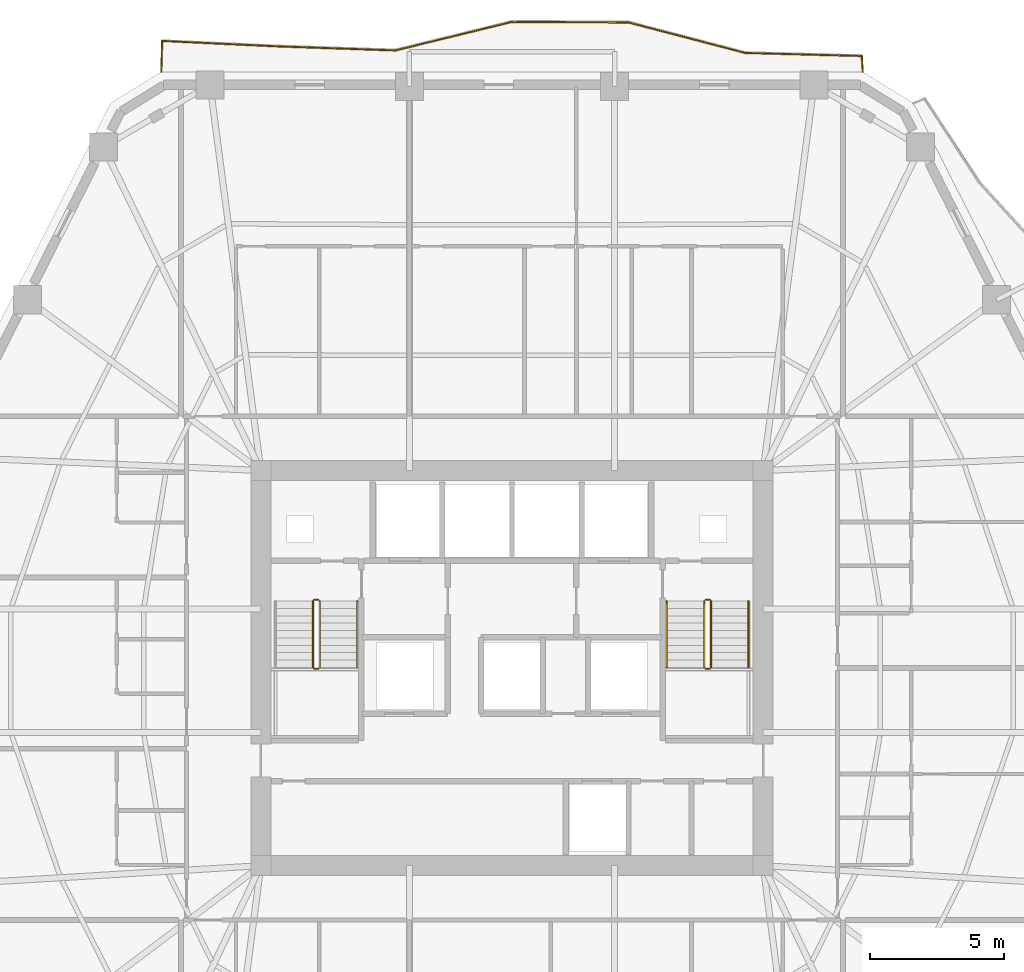
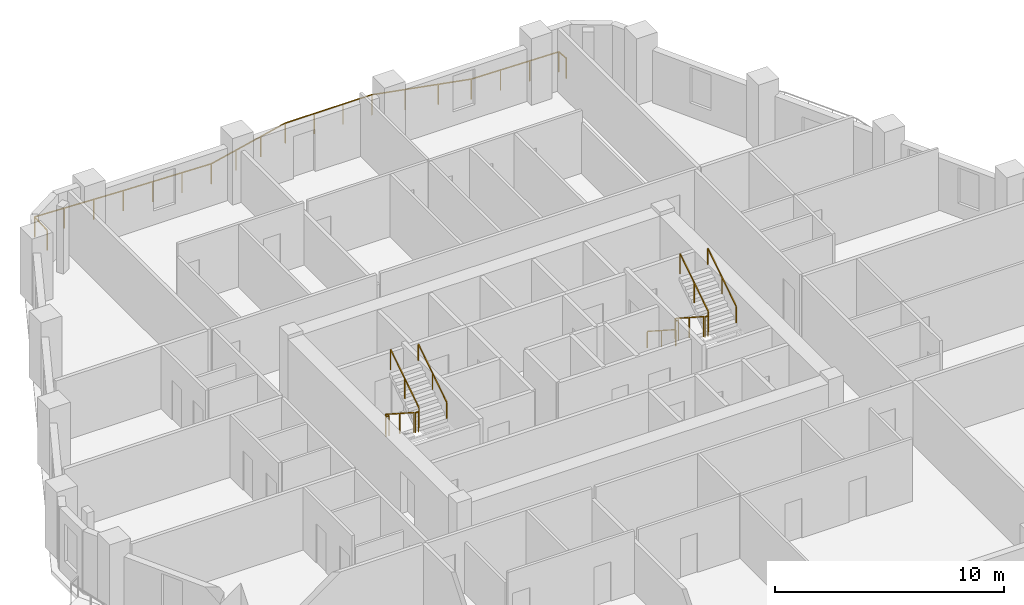
# One storey, part 10 of 11: 12 railings.
"""IFC4 building model written with IfcOpenShell, lengths in metres."""

from ifc_helpers import new_model, si_unit, direction, frame, origin, origin_2d, place, context, subcontext, project, spatial, rectangle, extrude, material, type_object, element, save


model = new_model("IFC4")

# Units and contexts
model_context = context("Model", 3, precision=1e-05, world=origin(), true_north=direction((0.0, 1.0)))
body_context = subcontext(model_context, "Body", "Model", "MODEL_VIEW")
ifc_project = project(units=[si_unit("LENGTHUNIT", "METRE"), si_unit("AREAUNIT", "SQUARE_METRE"), si_unit("VOLUMEUNIT", "CUBIC_METRE"), si_unit("PLANEANGLEUNIT", "RADIAN"), si_unit("MASSUNIT", "GRAM", prefix="KILO")], contexts=[model_context])

# Site, building, storey
site_placement = place(None, origin())
site = spatial("IfcSite", under=ifc_project, at=site_placement, CompositionType="ELEMENT")
building_placement = place(site_placement, origin())
building = spatial("IfcBuilding", under=site, at=building_placement, Name="Cinnabar Lancet Tower", CompositionType="ELEMENT")
storey_placement = place(building_placement, frame((0.0, 0.0, 133.89990234375)))
storey = spatial("IfcBuildingStorey", under=building, at=storey_placement, Name="L35", CompositionType="ELEMENT", Elevation=133.89990234375)

# Railings
ifc_material_1 = material(Name="Laminated safety glass and bronze stainless steel balustrade", Category="steel")
railing_type_1 = type_object("IfcRailingType", Name="ENV-RLG-BAL-1100", PredefinedType="BALUSTRADE", material=ifc_material_1)
railing_1_placement = place(storey_placement, frame((45.491943359375, 48.14990234375, 0.0)))
element("IfcRailing", 1, at=railing_1_placement, inside=storey, type_object=railing_type_1, Name="L35 Face 4 Wave Balcony Balustrade", PredefinedType="BALUSTRADE", context=body_context, shape_type="SweptSolid", body=[
    extrude(rectangle(XDim=0.048095703125, YDim=0.048095703125, at=origin_2d()), frame((0.0, 0.0, 1.076171875), z_axis=(-0.058458414322, 0.998289844582, 0.0), x_axis=(-0.998289844582, -0.058458414322, 0.0)), (0.0, 0.0, 1.0), 0.59716796875),
    extrude(rectangle(XDim=0.048095703125, YDim=0.048095703125, at=origin_2d()), frame((-0.034912109375, 0.59619140625, 1.076171875), z_axis=(-0.99967039888, 0.025672818363, 0.0), x_axis=(-0.025672818363, -0.99967039888, 0.0)), (0.0, 0.0, 1.0), 4.35546875),
    extrude(rectangle(XDim=0.048095703125, YDim=0.048095703125, at=origin_2d()), frame((-4.388916015625, 0.7080078125, 1.076171875), z_axis=(-0.967447573249, 0.25307151759, 0.0), x_axis=(-0.25307151759, -0.967447573249, 0.0)), (0.0, 0.0, 1.0), 4.49755859375),
    extrude(rectangle(XDim=0.048095703125, YDim=0.048095703125, at=origin_2d()), frame((-8.739990234375, 1.84619140625, 1.076171875), z_axis=(-0.999987255027, 0.005048740769, 0.0), x_axis=(-0.005048740769, -0.999987255027, 0.0)), (0.0, 0.0, 1.0), 4.35205078125),
    extrude(rectangle(XDim=0.048095703125, YDim=0.048095703125, at=origin_2d()), frame((-13.092041015625, 1.8681640625, 1.076171875), z_axis=(-0.971263637587, -0.238006189627, 0.0), x_axis=(0.238006189627, -0.971263637587, 0.0)), (0.0, 0.0, 1.0), 4.4794921875),
    extrude(rectangle(XDim=0.048095703125, YDim=0.048095703125, at=origin_2d()), frame((-17.44287109375, 0.802001953125, 1.076171875), z_axis=(-0.999405666457, 0.034471928484, 0.0), x_axis=(-0.034471928484, -0.999405666457, 0.0)), (0.0, 0.0, 1.0), 4.355712890625),
    extrude(rectangle(XDim=0.048095703125, YDim=0.048095703125, at=origin_2d()), frame((-21.7958984375, 0.9521484375, 1.076171875), z_axis=(-0.998895218898, 0.046992995887, 0.0), x_axis=(-0.046992995887, -0.998895218898, 0.0)), (0.0, 0.0, 1.0), 4.35888671875),
    extrude(rectangle(XDim=0.048095703125, YDim=0.048095703125, at=origin_2d()), frame((-26.14990234375, 1.156982421875, 1.076171875), z_axis=(-0.029318473695, -0.999570121152, 0.0), x_axis=(0.999570121152, -0.029318473695, 0.0)), (0.0, 0.0, 1.0), 1.157470703125),
    extrude(rectangle(XDim=0.0419921875, YDim=0.0419921875, at=origin_2d()), origin(), (0.0, 0.0, 1.0), 1.052001953125),
    extrude(rectangle(XDim=0.0419921875, YDim=0.0419921875, at=origin_2d()), frame((-0.034912109375, 0.59619140625, 0.0)), (0.0, 0.0, 1.0), 1.052001953125),
    extrude(rectangle(XDim=0.0419921875, YDim=0.0419921875, at=origin_2d()), frame((-1.486328125, 0.633544921875, 0.0)), (0.0, 0.0, 1.0), 1.052001953125),
    extrude(rectangle(XDim=0.0419921875, YDim=0.0419921875, at=origin_2d()), frame((-2.9375, 0.670654296875, 0.0)), (0.0, 0.0, 1.0), 1.052001953125),
    extrude(rectangle(XDim=0.0419921875, YDim=0.0419921875, at=origin_2d()), frame((-4.388916015625, 0.7080078125, 0.0)), (0.0, 0.0, 1.0), 1.052001953125),
    extrude(rectangle(XDim=0.0419921875, YDim=0.0419921875, at=origin_2d()), frame((-5.83935546875, 1.08740234375, 0.0)), (0.0, 0.0, 1.0), 1.052001953125),
    extrude(rectangle(XDim=0.0419921875, YDim=0.0419921875, at=origin_2d()), frame((-7.28955078125, 1.466796875, 0.0)), (0.0, 0.0, 1.0), 1.052001953125),
    extrude(rectangle(XDim=0.0419921875, YDim=0.0419921875, at=origin_2d()), frame((-8.739990234375, 1.84619140625, 0.0)), (0.0, 0.0, 1.0), 1.052001953125),
    extrude(rectangle(XDim=0.0419921875, YDim=0.0419921875, at=origin_2d()), frame((-10.190673828125, 1.853515625, 0.0)), (0.0, 0.0, 1.0), 1.052001953125),
    extrude(rectangle(XDim=0.0419921875, YDim=0.0419921875, at=origin_2d()), frame((-11.641357421875, 1.86083984375, 0.0)), (0.0, 0.0, 1.0), 1.052001953125),
    extrude(rectangle(XDim=0.0419921875, YDim=0.0419921875, at=origin_2d()), frame((-13.092041015625, 1.8681640625, 0.0)), (0.0, 0.0, 1.0), 1.052001953125),
    extrude(rectangle(XDim=0.0419921875, YDim=0.0419921875, at=origin_2d()), frame((-14.542236328125, 1.5126953125, 0.0)), (0.0, 0.0, 1.0), 1.052001953125),
    extrude(rectangle(XDim=0.0419921875, YDim=0.0419921875, at=origin_2d()), frame((-15.99267578125, 1.157470703125, 0.0)), (0.0, 0.0, 1.0), 1.052001953125),
    extrude(rectangle(XDim=0.0419921875, YDim=0.0419921875, at=origin_2d()), frame((-17.44287109375, 0.802001953125, 0.0)), (0.0, 0.0, 1.0), 1.052001953125),
    extrude(rectangle(XDim=0.0419921875, YDim=0.0419921875, at=origin_2d()), frame((-18.893798828125, 0.85205078125, 0.0)), (0.0, 0.0, 1.0), 1.052001953125),
    extrude(rectangle(XDim=0.0419921875, YDim=0.0419921875, at=origin_2d()), frame((-20.344970703125, 0.902099609375, 0.0)), (0.0, 0.0, 1.0), 1.052001953125),
    extrude(rectangle(XDim=0.0419921875, YDim=0.0419921875, at=origin_2d()), frame((-21.7958984375, 0.9521484375, 0.0)), (0.0, 0.0, 1.0), 1.052001953125),
    extrude(rectangle(XDim=0.0419921875, YDim=0.0419921875, at=origin_2d()), frame((-23.247314453125, 1.0205078125, 0.0)), (0.0, 0.0, 1.0), 1.052001953125),
    extrude(rectangle(XDim=0.0419921875, YDim=0.0419921875, at=origin_2d()), frame((-24.698486328125, 1.088623046875, 0.0)), (0.0, 0.0, 1.0), 1.052001953125),
    extrude(rectangle(XDim=0.0419921875, YDim=0.0419921875, at=origin_2d()), frame((-26.14990234375, 1.156982421875, 0.0)), (0.0, 0.0, 1.0), 1.052001953125),
    extrude(rectangle(XDim=0.0419921875, YDim=0.0419921875, at=origin_2d()), frame((-26.183837890625, 0.0, 0.0)), (0.0, 0.0, 1.0), 1.052001953125),
])
ifc_material_2 = material(Name="Painted galvanized steel balustrade", Category="steel")
railing_type_2 = type_object("IfcRailingType", Name="GUARD-STAIR", PredefinedType="GUARDRAIL", material=ifc_material_2)
railing_2_placement = place(storey_placement, frame((24.97509765625, 28.39990234375, 0.177490234375)))
element("IfcRailing", 2, at=railing_2_placement, inside=storey, type_object=railing_type_2, Name="L35 ST-1 stair guard 1", PredefinedType="GUARDRAIL", context=body_context, shape_type="SweptSolid", body=[
    extrude(rectangle(XDim=0.048095703125, YDim=0.048095703125, at=origin_2d()), frame((0.0, 0.0, 1.076171875), z_axis=(0.0, -0.84014559416, 0.542360932049), x_axis=(1.0, 0.0, 0.0)), (0.0, 0.0, 1.0), 2.94580078125),
    extrude(rectangle(XDim=0.0419921875, YDim=0.0419921875, at=origin_2d()), origin(), (0.0, 0.0, 1.0), 1.052001953125),
    extrude(rectangle(XDim=0.0419921875, YDim=0.0419921875, at=origin_2d()), frame((0.0, -1.2373046875, 0.798828125)), (0.0, 0.0, 1.0), 1.052001953125),
    extrude(rectangle(XDim=0.0419921875, YDim=0.0419921875, at=origin_2d()), frame((0.0, -2.474853515625, 1.59765625)), (0.0, 0.0, 1.0), 1.052001953125),
])
railing_3_placement = place(storey_placement, frame((25.02490234375, 25.875, 1.775146484375)))
element("IfcRailing", 3, at=railing_3_placement, inside=storey, type_object=railing_type_2, Name="L35 ST-1 stair guard 2", PredefinedType="GUARDRAIL", context=body_context, shape_type="SweptSolid", body=[
    extrude(rectangle(XDim=0.048095703125, YDim=0.048095703125, at=origin_2d()), frame((0.0, 0.0, 1.076171875), z_axis=(1.0, 0.0, 0.0), x_axis=(0.0, 1.0, 0.0)), (0.0, 0.0, 1.0), 0.150146484375),
    extrude(rectangle(XDim=0.0419921875, YDim=0.0419921875, at=origin_2d()), origin(), (0.0, 0.0, 1.0), 1.052001953125),
    extrude(rectangle(XDim=0.0419921875, YDim=0.0419921875, at=origin_2d()), frame((0.150146484375, 0.0, 0.0)), (0.0, 0.0, 1.0), 1.052001953125),
])
railing_4_placement = place(storey_placement, frame((25.22509765625, 25.925048828125, 1.95263671875)))
element("IfcRailing", 4, at=railing_4_placement, inside=storey, type_object=railing_type_2, Name="L35 ST-1 stair guard 3", PredefinedType="GUARDRAIL", context=body_context, shape_type="SweptSolid", body=[
    extrude(rectangle(XDim=0.048095703125, YDim=0.048095703125, at=origin_2d()), frame((0.0, 0.0, 1.076171875), z_axis=(0.0, 0.840183358697, 0.542302428327), x_axis=(-1.0, 0.0, 0.0)), (0.0, 0.0, 1.0), 2.945556640625),
    extrude(rectangle(XDim=0.0419921875, YDim=0.0419921875, at=origin_2d()), origin(), (0.0, 0.0, 1.0), 1.052001953125),
    extrude(rectangle(XDim=0.0419921875, YDim=0.0419921875, at=origin_2d()), frame((0.0, 1.2373046875, 0.798828125)), (0.0, 0.0, 1.0), 1.052001953125),
    extrude(rectangle(XDim=0.0419921875, YDim=0.0419921875, at=origin_2d()), frame((0.0, 2.474853515625, 1.597412109375)), (0.0, 0.0, 1.0), 1.052001953125),
])
railing_5_placement = place(storey_placement, frame((25.02490234375, 28.449951171875, 0.0)))
element("IfcRailing", 5, at=railing_5_placement, inside=storey, type_object=railing_type_2, Name="L35 ST-1 stair guard 4", PredefinedType="GUARDRAIL", context=body_context, shape_type="SweptSolid", body=[
    extrude(rectangle(XDim=0.048095703125, YDim=0.048095703125, at=origin_2d()), frame((0.0, 0.0, 1.076171875), z_axis=(1.0, 0.0, 0.0), x_axis=(0.0, 1.0, 0.0)), (0.0, 0.0, 1.0), 0.150146484375),
    extrude(rectangle(XDim=0.0419921875, YDim=0.0419921875, at=origin_2d()), origin(), (0.0, 0.0, 1.0), 1.052001953125),
    extrude(rectangle(XDim=0.0419921875, YDim=0.0419921875, at=origin_2d()), frame((0.150146484375, 0.0, 0.0)), (0.0, 0.0, 1.0), 1.052001953125),
])
railing_6_placement = place(storey_placement, frame((39.574951171875, 28.39990234375, 0.177490234375)))
element("IfcRailing", 6, at=railing_6_placement, inside=storey, type_object=railing_type_2, Name="L35 ST-2 stair guard 1", PredefinedType="GUARDRAIL", context=body_context, shape_type="SweptSolid", body=[
    extrude(rectangle(XDim=0.048095703125, YDim=0.048095703125, at=origin_2d()), frame((0.0, 0.0, 1.076171875), z_axis=(0.0, -0.84014559416, 0.542360932049), x_axis=(1.0, 0.0, 0.0)), (0.0, 0.0, 1.0), 2.94580078125),
    extrude(rectangle(XDim=0.0419921875, YDim=0.0419921875, at=origin_2d()), origin(), (0.0, 0.0, 1.0), 1.052001953125),
    extrude(rectangle(XDim=0.0419921875, YDim=0.0419921875, at=origin_2d()), frame((0.0, -1.2373046875, 0.798828125)), (0.0, 0.0, 1.0), 1.052001953125),
    extrude(rectangle(XDim=0.0419921875, YDim=0.0419921875, at=origin_2d()), frame((0.0, -2.474853515625, 1.59765625)), (0.0, 0.0, 1.0), 1.052001953125),
])
railing_7_placement = place(storey_placement, frame((39.625, 25.875, 1.775146484375)))
element("IfcRailing", 7, at=railing_7_placement, inside=storey, type_object=railing_type_2, Name="L35 ST-2 stair guard 2", PredefinedType="GUARDRAIL", context=body_context, shape_type="SweptSolid", body=[
    extrude(rectangle(XDim=0.048095703125, YDim=0.048095703125, at=origin_2d()), frame((0.0, 0.0, 1.076171875), z_axis=(1.0, 0.0, 0.0), x_axis=(0.0, 1.0, 0.0)), (0.0, 0.0, 1.0), 0.14990234375),
    extrude(rectangle(XDim=0.0419921875, YDim=0.0419921875, at=origin_2d()), origin(), (0.0, 0.0, 1.0), 1.052001953125),
    extrude(rectangle(XDim=0.0419921875, YDim=0.0419921875, at=origin_2d()), frame((0.14990234375, 0.0, 0.0)), (0.0, 0.0, 1.0), 1.052001953125),
])
railing_8_placement = place(storey_placement, frame((39.824951171875, 25.925048828125, 1.95263671875)))
element("IfcRailing", 8, at=railing_8_placement, inside=storey, type_object=railing_type_2, Name="L35 ST-2 stair guard 3", PredefinedType="GUARDRAIL", context=body_context, shape_type="SweptSolid", body=[
    extrude(rectangle(XDim=0.048095703125, YDim=0.048095703125, at=origin_2d()), frame((0.0, 0.0, 1.076171875), z_axis=(0.0, 0.840183358697, 0.542302428327), x_axis=(-1.0, 0.0, 0.0)), (0.0, 0.0, 1.0), 2.945556640625),
    extrude(rectangle(XDim=0.0419921875, YDim=0.0419921875, at=origin_2d()), origin(), (0.0, 0.0, 1.0), 1.052001953125),
    extrude(rectangle(XDim=0.0419921875, YDim=0.0419921875, at=origin_2d()), frame((0.0, 1.2373046875, 0.798828125)), (0.0, 0.0, 1.0), 1.052001953125),
    extrude(rectangle(XDim=0.0419921875, YDim=0.0419921875, at=origin_2d()), frame((0.0, 2.474853515625, 1.597412109375)), (0.0, 0.0, 1.0), 1.052001953125),
])
railing_9_placement = place(storey_placement, frame((39.625, 28.449951171875, 0.0)))
element("IfcRailing", 9, at=railing_9_placement, inside=storey, type_object=railing_type_2, Name="L35 ST-2 stair guard 4", PredefinedType="GUARDRAIL", context=body_context, shape_type="SweptSolid", body=[
    extrude(rectangle(XDim=0.048095703125, YDim=0.048095703125, at=origin_2d()), frame((0.0, 0.0, 1.076171875), z_axis=(1.0, 0.0, 0.0), x_axis=(0.0, 1.0, 0.0)), (0.0, 0.0, 1.0), 0.14990234375),
    extrude(rectangle(XDim=0.0419921875, YDim=0.0419921875, at=origin_2d()), origin(), (0.0, 0.0, 1.0), 1.052001953125),
    extrude(rectangle(XDim=0.0419921875, YDim=0.0419921875, at=origin_2d()), frame((0.14990234375, 0.0, 0.0)), (0.0, 0.0, 1.0), 1.052001953125),
])
ifc_material_3 = material(Name="Brushed stainless steel handrail", Category="steel")
railing_type_3 = type_object("IfcRailingType", Name="HANDRAIL-STAIR", PredefinedType="HANDRAIL", material=ifc_material_3)
railing_10_placement = place(storey_placement, frame((26.625, 25.925048828125, 1.95263671875)))
element("IfcRailing", 10, at=railing_10_placement, inside=storey, type_object=railing_type_3, Name="L35 ST-1 stair handrail 2", PredefinedType="HANDRAIL", context=body_context, shape_type="SweptSolid", body=[
    extrude(rectangle(XDim=0.048095703125, YDim=0.048095703125, at=origin_2d()), frame((0.0, 0.0, 0.8759765625), z_axis=(0.0, 0.840183358697, 0.542302428327), x_axis=(-1.0, 0.0, 0.0)), (0.0, 0.0, 1.0), 2.945556640625),
    extrude(rectangle(XDim=0.0419921875, YDim=0.0419921875, at=origin_2d()), origin(), (0.0, 0.0, 1.0), 0.851806640625),
    extrude(rectangle(XDim=0.0419921875, YDim=0.0419921875, at=origin_2d()), frame((0.0, 1.2373046875, 0.798828125)), (0.0, 0.0, 1.0), 0.851806640625),
    extrude(rectangle(XDim=0.0419921875, YDim=0.0419921875, at=origin_2d()), frame((0.0, 2.474853515625, 1.597412109375)), (0.0, 0.0, 1.0), 0.851806640625),
])
railing_11_placement = place(storey_placement, frame((38.175048828125, 28.39990234375, 0.177490234375)))
element("IfcRailing", 11, at=railing_11_placement, inside=storey, type_object=railing_type_3, Name="L35 ST-2 stair handrail 1", PredefinedType="HANDRAIL", context=body_context, shape_type="SweptSolid", body=[
    extrude(rectangle(XDim=0.048095703125, YDim=0.048095703125, at=origin_2d()), frame((0.0, 0.0, 0.8759765625), z_axis=(0.0, -0.84014559416, 0.542360932049), x_axis=(1.0, 0.0, 0.0)), (0.0, 0.0, 1.0), 2.94580078125),
    extrude(rectangle(XDim=0.0419921875, YDim=0.0419921875, at=origin_2d()), origin(), (0.0, 0.0, 1.0), 0.851806640625),
    extrude(rectangle(XDim=0.0419921875, YDim=0.0419921875, at=origin_2d()), frame((0.0, -1.2373046875, 0.798828125)), (0.0, 0.0, 1.0), 0.851806640625),
    extrude(rectangle(XDim=0.0419921875, YDim=0.0419921875, at=origin_2d()), frame((0.0, -2.474853515625, 1.59765625)), (0.0, 0.0, 1.0), 0.851806640625),
])
railing_12_placement = place(storey_placement, frame((41.22509765625, 25.925048828125, 1.95263671875)))
element("IfcRailing", 12, at=railing_12_placement, inside=storey, type_object=railing_type_3, Name="L35 ST-2 stair handrail 2", PredefinedType="HANDRAIL", context=body_context, shape_type="SweptSolid", body=[
    extrude(rectangle(XDim=0.048095703125, YDim=0.048095703125, at=origin_2d()), frame((0.0, 0.0, 0.8759765625), z_axis=(0.0, 0.840183358697, 0.542302428327), x_axis=(-1.0, 0.0, 0.0)), (0.0, 0.0, 1.0), 2.945556640625),
    extrude(rectangle(XDim=0.0419921875, YDim=0.0419921875, at=origin_2d()), origin(), (0.0, 0.0, 1.0), 0.851806640625),
    extrude(rectangle(XDim=0.0419921875, YDim=0.0419921875, at=origin_2d()), frame((0.0, 1.2373046875, 0.798828125)), (0.0, 0.0, 1.0), 0.851806640625),
    extrude(rectangle(XDim=0.0419921875, YDim=0.0419921875, at=origin_2d()), frame((0.0, 2.474853515625, 1.597412109375)), (0.0, 0.0, 1.0), 0.851806640625),
])

save(model, "model.ifc")
